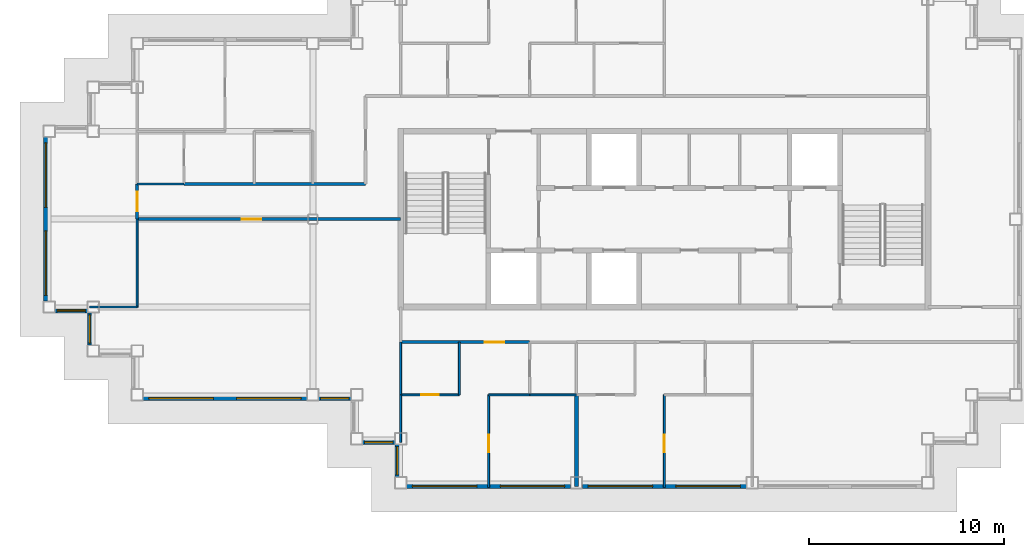
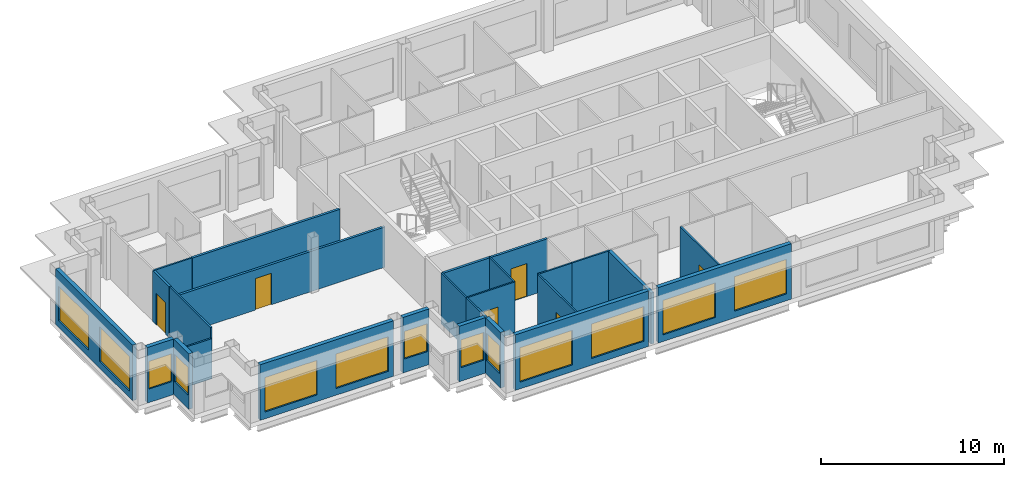
# One storey, part 2 of 11: 25 walls, 13 windows, 6 doors, 19 openings.
"""IFC4 building model written with IfcOpenShell, lengths in metres."""

from ifc_helpers import new_model, si_unit, direction, frame, frame_2d, origin, place, context, subcontext, project, spatial, rectangle, extrude, material, layer, layer_set, type_object, element, fill, save


model = new_model("IFC4")

# Units and contexts
model_context = context("Model", 3, precision=1e-05, world=origin(), true_north=direction((0.0, 1.0)))
body_context = subcontext(model_context, "Body", "Model", "MODEL_VIEW")
ifc_project = project(units=[si_unit("LENGTHUNIT", "METRE"), si_unit("AREAUNIT", "SQUARE_METRE"), si_unit("VOLUMEUNIT", "CUBIC_METRE"), si_unit("PLANEANGLEUNIT", "RADIAN"), si_unit("MASSUNIT", "GRAM", prefix="KILO")], contexts=[model_context])

# Site, building, storey
site_placement = place(None, origin())
site = spatial("IfcSite", under=ifc_project, at=site_placement, CompositionType="ELEMENT")
building_placement = place(site_placement, origin())
building = spatial("IfcBuilding", under=site, at=building_placement, Name="Caravel Reach Hotel and Residences", CompositionType="ELEMENT")
storey_placement = place(building_placement, frame((0.0, 0.0, 256.39990234375)))
storey = spatial("IfcBuildingStorey", under=building, at=storey_placement, Name="L65", CompositionType="ELEMENT", Elevation=256.39990234375)

# Walls
ifc_material_1 = material(Name="Gypsum board on steel stud", Category="steel")
ifc_layer_1 = layer(ifc_material_1, 0.10009765625)
ifc_layer_set_1 = layer_set([ifc_layer_1], Name="Bathroom pod wall 100 mm")
wall_type_1 = type_object("IfcWallType", Name="Bathroom pod wall 100 mm", PredefinedType="PARTITIONING", material=ifc_layer_set_1)
for number, where, z_axis, x_axis, name in (
    (1, (24.60009765625, 18.0, 0.0), (0.0, 0.0, 1.0), (1.0, 0.0, 0.0), "L65 wall w053"),
    (2, (4.5, 28.800048828125, 0.0), (0.0, 0.0, 1.0), (1.0, 0.0, 0.0), "L65 wall w057"),
):
    element("IfcWall", number, at=place(storey_placement, frame(where, z_axis=z_axis, x_axis=x_axis)), inside=storey, type_object=wall_type_1, Name=name, PredefinedType="PARTITIONING", context=body_context, shape_type="SweptSolid", body=[
        extrude(rectangle(XDim=2.39990234375, YDim=0.10009765625, at=frame_2d((1.199951171875, 0.0))), origin(), (0.0, 0.0, 1.0), 3.400146484375),
    ])

# Wall, opening, door
ifc_material_2 = material(Name="Gypsum board on steel stud, fire-rated", Category="steel")
ifc_layer_2 = layer(ifc_material_2, 0.14990234375)
ifc_layer_set_2 = layer_set([ifc_layer_2], Name="Corridor wall 150 mm EI 60")
wall_type_2 = type_object("IfcWallType", Name="Corridor wall 150 mm EI 60", PredefinedType="PARTITIONING", material=ifc_layer_set_2)
wall_1_placement = place(storey_placement, frame((18.0, 20.699951171875, 0.0), z_axis=(0.0, 0.0, 1.0), x_axis=(1.0, 0.0, 0.0)))
wall_1 = element("IfcWall", 3, at=wall_1_placement, inside=storey, type_object=wall_type_2, Name="L65 wall w002", PredefinedType="PARTITIONING", context=body_context, shape_type="SweptSolid", body=[
    extrude(rectangle(XDim=6.60009765625, YDim=0.14990234375, at=frame_2d((3.300048828125, 0.0))), origin(), (0.0, 0.0, 1.0), 3.400146484375),
])
opening_1_placement = place(wall_1_placement, frame((4.300048828125, 0.0, 0.0)))
opening_1 = element("IfcOpeningElement", 4, at=opening_1_placement, cuts=wall_1, Name="Opening D65-030", PredefinedType="OPENING", context=body_context, shape_type="SweptSolid", body=[
    extrude(rectangle(XDim=1.0, YDim=2.199951171875, at=frame_2d((0.5, 1.10009765625))), frame((0.0, 0.0849609375, 0.0), z_axis=(0.0, -1.0, 0.0), x_axis=(1.0, 0.0, 0.0)), (0.0, 0.0, 1.0), 0.169921875),
])
ifc_material_3 = material(Name="Steel fire door leaf", Category="steel")
door_type_1 = type_object("IfcDoorType", Name="Flat entrance door 1000 x 2200 EI 60", OperationType="SINGLE_SWING_LEFT", PredefinedType="DOOR", material=ifc_material_3)
door_1_placement = place(opening_1_placement, origin())
door_1 = element("IfcDoor", 5, at=door_1_placement, inside=storey, type_object=door_type_1, Name="door D65-030", OperationType="SINGLE_SWING_LEFT", OverallHeight=2.199951171875, OverallWidth=1.0, PredefinedType="DOOR", context=body_context, shape_type="SweptSolid", body=[
    extrude(rectangle(XDim=1.0, YDim=2.199951171875, at=frame_2d((0.5, 1.10009765625))), frame((0.0, 0.02490234375, 0.0), z_axis=(0.0, -1.0, 0.0), x_axis=(1.0, 0.0, 0.0)), (0.0, 0.0, 1.0), 0.050048828125),
])
fill(opening_1, door_1)

wall_2_placement = place(storey_placement, frame((4.5, 27.0, 0.0), z_axis=(0.0, 0.0, 1.0), x_axis=(1.0, 0.0, 0.0)))
wall_2 = element("IfcWall", 6, at=wall_2_placement, inside=storey, type_object=wall_type_2, Name="L65 wall w008", PredefinedType="PARTITIONING", context=body_context, shape_type="SweptSolid", body=[
    extrude(rectangle(XDim=13.5, YDim=0.14990234375, at=frame_2d((6.75, 0.0))), origin(), (0.0, 0.0, 1.0), 2.68017578125),
])
opening_2_placement = place(wall_2_placement, frame((5.35009765625, 0.0, 0.0)))
opening_2 = element("IfcOpeningElement", 7, at=opening_2_placement, cuts=wall_2, Name="Opening D65-029", PredefinedType="OPENING", context=body_context, shape_type="SweptSolid", body=[
    extrude(rectangle(XDim=1.0, YDim=2.10009765625, at=frame_2d((0.5, 1.050048828125))), frame((0.0, 0.0849609375, 0.0), z_axis=(0.0, -1.0, 0.0), x_axis=(1.0, 0.0, 0.0)), (0.0, 0.0, 1.0), 0.169921875),
])
ifc_material_4 = material(Name="Steel fire door leaf", Category="steel")
door_type_2 = type_object("IfcDoorType", Name="Fire door 1000 x 2100 EI 60", OperationType="SINGLE_SWING_LEFT", PredefinedType="DOOR", material=ifc_material_4)
door_2_placement = place(opening_2_placement, origin())
door_2 = element("IfcDoor", 8, at=door_2_placement, inside=storey, type_object=door_type_2, Name="door D65-029", OperationType="SINGLE_SWING_LEFT", OverallHeight=2.10009765625, OverallWidth=1.0, PredefinedType="DOOR", context=body_context, shape_type="SweptSolid", body=[
    extrude(rectangle(XDim=1.0, YDim=2.10009765625, at=frame_2d((0.5, 1.050048828125))), frame((0.0, 0.02490234375, 0.0), z_axis=(0.0, -1.0, 0.0), x_axis=(1.0, 0.0, 0.0)), (0.0, 0.0, 1.0), 0.050048828125),
])
fill(opening_2, door_2)

# Wall
wall_3_placement = place(storey_placement, frame((6.89990234375, 28.800048828125, 0.0), z_axis=(0.0, 0.0, 1.0), x_axis=(1.0, 0.0, 0.0)))
element("IfcWall", 9, at=wall_3_placement, inside=storey, type_object=wall_type_2, Name="L65 wall w009", PredefinedType="PARTITIONING", context=body_context, shape_type="SweptSolid", body=[
    extrude(rectangle(XDim=9.299072265625, YDim=0.14990234375, at=frame_2d((4.6494140625, 0.0))), origin(), (0.0, 0.0, 1.0), 3.400146484375),
])

# Wall, opening, door
wall_4_placement = place(storey_placement, frame((4.5, 27.0, 0.0), z_axis=(0.0, 0.0, 1.0), x_axis=(0.0, 1.0, 0.0)))
wall_4 = element("IfcWall", 10, at=wall_4_placement, inside=storey, type_object=wall_type_2, Name="L65 wall w019", PredefinedType="PARTITIONING", context=body_context, shape_type="SweptSolid", body=[
    extrude(rectangle(XDim=1.800048828125, YDim=0.14990234375, at=frame_2d((0.89990234375, 0.0))), origin(), (0.0, 0.0, 1.0), 3.400146484375),
])
opening_3_placement = place(wall_4_placement, frame((0.39990234375, 0.0, 0.0)))
opening_3 = element("IfcOpeningElement", 11, at=opening_3_placement, cuts=wall_4, Name="Opening D65-039", PredefinedType="OPENING", context=body_context, shape_type="SweptSolid", body=[
    extrude(rectangle(XDim=1.0, YDim=2.10009765625, at=frame_2d((0.5, 1.050048828125))), frame((0.0, 0.0849609375, 0.0), z_axis=(0.0, -1.0, 0.0), x_axis=(1.0, 0.0, 0.0)), (0.0, 0.0, 1.0), 0.169921875),
])
door_3_placement = place(opening_3_placement, origin())
door_3 = element("IfcDoor", 12, at=door_3_placement, inside=storey, type_object=door_type_2, Name="door D65-039", OperationType="SINGLE_SWING_LEFT", OverallHeight=2.10009765625, OverallWidth=1.0, PredefinedType="DOOR", context=body_context, shape_type="SweptSolid", body=[
    extrude(rectangle(XDim=1.0, YDim=2.10009765625, at=frame_2d((0.5, 1.050048828125))), frame((0.0, 0.02490234375, 0.0), z_axis=(0.0, -1.0, 0.0), x_axis=(1.0, 0.0, 0.0)), (0.0, 0.0, 1.0), 0.050048828125),
])
fill(opening_3, door_3)

# Wall, opening, window
ifc_material_5 = material(Name="Insulated rainscreen wall, aluminium cladding", Category="aluminium")
ifc_layer_3 = layer(ifc_material_5, 0.25)
ifc_layer_set_3 = layer_set([ifc_layer_3], Name="EW1 Tower rainscreen wall")
wall_type_3 = type_object("IfcWallType", Name="EW1 Tower rainscreen wall", PredefinedType="SOLIDWALL", material=ifc_layer_set_3)
wall_5_placement = place(storey_placement, frame((16.050048828125, 15.574951171875, 0.0), z_axis=(0.0, 0.0, 1.0), x_axis=(1.0, 0.0, 0.0)))
wall_5 = element("IfcWall", 13, at=wall_5_placement, inside=storey, type_object=wall_type_3, Name="External wall L65 S2.1", PredefinedType="SOLIDWALL", context=body_context, shape_type="SweptSolid", body=[
    extrude(rectangle(XDim=1.64990234375, YDim=0.25, at=frame_2d((0.824951171875, 0.0))), origin(), (0.0, 0.0, 1.0), 3.7001953125),
])
opening_4_placement = place(wall_5_placement, frame((0.10009765625, 0.0, 0.89990234375)))
opening_4 = element("IfcOpeningElement", 14, at=opening_4_placement, cuts=wall_5, Name="Opening WN25", PredefinedType="OPENING", context=body_context, shape_type="SweptSolid", body=[
    extrude(rectangle(XDim=1.449951171875, YDim=1.85009765625, at=frame_2d((0.72509765625, 0.925048828125))), frame((0.0, 0.135009765625, 0.0), z_axis=(0.0, -1.0, 0.0), x_axis=(1.0, 0.0, 0.0)), (0.0, 0.0, 1.0), 0.27001953125),
])
ifc_material_6 = material(Name="Dark low-e glazing in black aluminium frame", Category="aluminium")
window_type_1 = type_object("IfcWindowType", Name="Residence bedroom window 1450 x 1850", PartitioningType="SINGLE_PANEL", PredefinedType="WINDOW", material=ifc_material_6)
window_1_placement = place(opening_4_placement, origin())
window_1 = element("IfcWindow", 15, at=window_1_placement, inside=storey, type_object=window_type_1, Name="Window L65 S2.1.1", OverallHeight=1.85009765625, OverallWidth=1.449951171875, PartitioningType="SINGLE_PANEL", PredefinedType="WINDOW", context=body_context, shape_type="SweptSolid", body=[
    extrude(rectangle(XDim=1.449951171875, YDim=1.85009765625, at=frame_2d((0.72509765625, 0.925048828125))), frame((0.0, 0.030029296875, 0.0), z_axis=(0.0, -1.0, 0.0), x_axis=(1.0, 0.0, 0.0)), (0.0, 0.0, 1.0), 0.06005859375),
])
fill(opening_4, window_1)

wall_6_placement = place(storey_placement, frame((17.824951171875, 15.449951171875, 0.0), z_axis=(0.0, 0.0, 1.0), x_axis=(0.0, -1.0, 0.0)))
wall_6 = element("IfcWall", 16, at=wall_6_placement, inside=storey, type_object=wall_type_3, Name="External wall L65 W3.1", PredefinedType="SOLIDWALL", context=body_context, shape_type="SweptSolid", body=[
    extrude(rectangle(XDim=1.64990234375, YDim=0.25, at=frame_2d((0.824951171875, 0.0))), origin(), (0.0, 0.0, 1.0), 3.7001953125),
])
opening_5_placement = place(wall_6_placement, frame((0.10009765625, 0.0, 0.89990234375)))
opening_5 = element("IfcOpeningElement", 17, at=opening_5_placement, cuts=wall_6, Name="Opening WN25", PredefinedType="OPENING", context=body_context, shape_type="SweptSolid", body=[
    extrude(rectangle(XDim=1.449951171875, YDim=1.85009765625, at=frame_2d((0.72509765625, 0.925048828125))), frame((0.0, 0.135009765625, 0.0), z_axis=(0.0, -1.0, 0.0), x_axis=(1.0, 0.0, 0.0)), (0.0, 0.0, 1.0), 0.27001953125),
])
window_2_placement = place(opening_5_placement, origin())
window_2 = element("IfcWindow", 18, at=window_2_placement, inside=storey, type_object=window_type_1, Name="Window L65 W3.1.1", OverallHeight=1.85009765625, OverallWidth=1.449951171875, PartitioningType="SINGLE_PANEL", PredefinedType="WINDOW", context=body_context, shape_type="SweptSolid", body=[
    extrude(rectangle(XDim=1.449951171875, YDim=1.85009765625, at=frame_2d((0.72509765625, 0.925048828125))), frame((0.0, 0.030029296875, 0.0), z_axis=(0.0, -1.0, 0.0), x_axis=(1.0, 0.0, 0.0)), (0.0, 0.0, 1.0), 0.06005859375),
])
fill(opening_5, window_2)

# Wall, openings, windows
wall_7_placement = place(storey_placement, frame((18.300048828125, 13.324951171875, 0.0), z_axis=(0.0, 0.0, 1.0), x_axis=(1.0, 0.0, 0.0)))
wall_7 = element("IfcWall", 19, at=wall_7_placement, inside=storey, type_object=wall_type_3, Name="External wall L65 S4.1", PredefinedType="SOLIDWALL", context=body_context, shape_type="SweptSolid", body=[
    extrude(rectangle(XDim=8.39990234375, YDim=0.25, at=frame_2d((4.199951171875, 0.0))), origin(), (0.0, 0.0, 1.0), 3.7001953125),
])
opening_6_placement = place(wall_7_placement, frame((0.300048828125, 0.0, 0.449951171875)))
opening_6 = element("IfcOpeningElement", 20, at=opening_6_placement, cuts=wall_7, Name="Opening WN15", PredefinedType="OPENING", context=body_context, shape_type="SweptSolid", body=[
    extrude(rectangle(XDim=3.300048828125, YDim=2.300048828125, at=frame_2d((1.64990234375, 1.14990234375))), frame((0.0, 0.135009765625, 0.0), z_axis=(0.0, -1.0, 0.0), x_axis=(1.0, 0.0, 0.0)), (0.0, 0.0, 1.0), 0.27001953125),
])
opening_7_placement = place(wall_7_placement, frame((4.800048828125, 0.0, 0.449951171875)))
opening_7 = element("IfcOpeningElement", 21, at=opening_7_placement, cuts=wall_7, Name="Opening WN15", PredefinedType="OPENING", context=body_context, shape_type="SweptSolid", body=[
    extrude(rectangle(XDim=3.300048828125, YDim=2.300048828125, at=frame_2d((1.64990234375, 1.14990234375))), frame((0.0, 0.135009765625, 0.0), z_axis=(0.0, -1.0, 0.0), x_axis=(1.0, 0.0, 0.0)), (0.0, 0.0, 1.0), 0.27001953125),
])
ifc_material_7 = material(Name="Dark low-e glazing in black aluminium frame", Category="aluminium")
window_type_2 = type_object("IfcWindowType", Name="Residence living window 3300 x 2300", PartitioningType="SINGLE_PANEL", PredefinedType="WINDOW", material=ifc_material_7)
window_3_placement = place(opening_6_placement, origin())
window_3 = element("IfcWindow", 22, at=window_3_placement, inside=storey, type_object=window_type_2, Name="Window L65 S4.1.1", OverallHeight=2.300048828125, OverallWidth=3.300048828125, PartitioningType="SINGLE_PANEL", PredefinedType="WINDOW", context=body_context, shape_type="SweptSolid", body=[
    extrude(rectangle(XDim=3.300048828125, YDim=2.300048828125, at=frame_2d((1.64990234375, 1.14990234375))), frame((0.0, 0.030029296875, 0.0), z_axis=(0.0, -1.0, 0.0), x_axis=(1.0, 0.0, 0.0)), (0.0, 0.0, 1.0), 0.06005859375),
])
fill(opening_6, window_3)
window_4_placement = place(opening_7_placement, origin())
window_4 = element("IfcWindow", 23, at=window_4_placement, inside=storey, type_object=window_type_2, Name="Window L65 S4.1.2", OverallHeight=2.300048828125, OverallWidth=3.300048828125, PartitioningType="SINGLE_PANEL", PredefinedType="WINDOW", context=body_context, shape_type="SweptSolid", body=[
    extrude(rectangle(XDim=3.300048828125, YDim=2.300048828125, at=frame_2d((1.64990234375, 1.14990234375))), frame((0.0, 0.030029296875, 0.0), z_axis=(0.0, -1.0, 0.0), x_axis=(1.0, 0.0, 0.0)), (0.0, 0.0, 1.0), 0.06005859375),
])
fill(opening_7, window_4)

wall_8_placement = place(storey_placement, frame((27.300048828125, 13.324951171875, 0.0), z_axis=(0.0, 0.0, 1.0), x_axis=(1.0, 0.0, 0.0)))
wall_8 = element("IfcWall", 24, at=wall_8_placement, inside=storey, type_object=wall_type_3, Name="External wall L65 S4.2", PredefinedType="SOLIDWALL", context=body_context, shape_type="SweptSolid", body=[
    extrude(rectangle(XDim=8.39990234375, YDim=0.25, at=frame_2d((4.199951171875, 0.0))), origin(), (0.0, 0.0, 1.0), 3.7001953125),
])
opening_8_placement = place(wall_8_placement, frame((0.300048828125, 0.0, 0.449951171875)))
opening_8 = element("IfcOpeningElement", 25, at=opening_8_placement, cuts=wall_8, Name="Opening WN15", PredefinedType="OPENING", context=body_context, shape_type="SweptSolid", body=[
    extrude(rectangle(XDim=3.300048828125, YDim=2.300048828125, at=frame_2d((1.64990234375, 1.14990234375))), frame((0.0, 0.135009765625, 0.0), z_axis=(0.0, -1.0, 0.0), x_axis=(1.0, 0.0, 0.0)), (0.0, 0.0, 1.0), 0.27001953125),
])
opening_9_placement = place(wall_8_placement, frame((4.800048828125, 0.0, 0.449951171875)))
opening_9 = element("IfcOpeningElement", 26, at=opening_9_placement, cuts=wall_8, Name="Opening WN15", PredefinedType="OPENING", context=body_context, shape_type="SweptSolid", body=[
    extrude(rectangle(XDim=3.300048828125, YDim=2.300048828125, at=frame_2d((1.64990234375, 1.14990234375))), frame((0.0, 0.135009765625, 0.0), z_axis=(0.0, -1.0, 0.0), x_axis=(1.0, 0.0, 0.0)), (0.0, 0.0, 1.0), 0.27001953125),
])
window_5_placement = place(opening_8_placement, origin())
window_5 = element("IfcWindow", 27, at=window_5_placement, inside=storey, type_object=window_type_2, Name="Window L65 S4.2.1", OverallHeight=2.300048828125, OverallWidth=3.300048828125, PartitioningType="SINGLE_PANEL", PredefinedType="WINDOW", context=body_context, shape_type="SweptSolid", body=[
    extrude(rectangle(XDim=3.300048828125, YDim=2.300048828125, at=frame_2d((1.64990234375, 1.14990234375))), frame((0.0, 0.030029296875, 0.0), z_axis=(0.0, -1.0, 0.0), x_axis=(1.0, 0.0, 0.0)), (0.0, 0.0, 1.0), 0.06005859375),
])
fill(opening_8, window_5)
window_6_placement = place(opening_9_placement, origin())
window_6 = element("IfcWindow", 28, at=window_6_placement, inside=storey, type_object=window_type_2, Name="Window L65 S4.2.2", OverallHeight=2.300048828125, OverallWidth=3.300048828125, PartitioningType="SINGLE_PANEL", PredefinedType="WINDOW", context=body_context, shape_type="SweptSolid", body=[
    extrude(rectangle(XDim=3.300048828125, YDim=2.300048828125, at=frame_2d((1.64990234375, 1.14990234375))), frame((0.0, 0.030029296875, 0.0), z_axis=(0.0, -1.0, 0.0), x_axis=(1.0, 0.0, 0.0)), (0.0, 0.0, 1.0), 0.06005859375),
])
fill(opening_9, window_6)

wall_9_placement = place(storey_placement, frame((-0.175048828125, 31.199951171875, 0.0), z_axis=(0.0, 0.0, 1.0), x_axis=(0.0, -1.0, 0.0)))
wall_9 = element("IfcWall", 29, at=wall_9_placement, inside=storey, type_object=wall_type_3, Name="External wall L65 W23.1", PredefinedType="SOLIDWALL", context=body_context, shape_type="SweptSolid", body=[
    extrude(rectangle(XDim=8.39990234375, YDim=0.25, at=frame_2d((4.199951171875, 0.0))), origin(), (0.0, 0.0, 1.0), 3.7001953125),
])
opening_10_placement = place(wall_9_placement, frame((0.300048828125, 0.0, 0.449951171875)))
opening_10 = element("IfcOpeningElement", 30, at=opening_10_placement, cuts=wall_9, Name="Opening WN15", PredefinedType="OPENING", context=body_context, shape_type="SweptSolid", body=[
    extrude(rectangle(XDim=3.300048828125, YDim=2.300048828125, at=frame_2d((1.64990234375, 1.14990234375))), frame((0.0, 0.135009765625, 0.0), z_axis=(0.0, -1.0, 0.0), x_axis=(1.0, 0.0, 0.0)), (0.0, 0.0, 1.0), 0.27001953125),
])
opening_11_placement = place(wall_9_placement, frame((4.800048828125, 0.0, 0.449951171875)))
opening_11 = element("IfcOpeningElement", 31, at=opening_11_placement, cuts=wall_9, Name="Opening WN15", PredefinedType="OPENING", context=body_context, shape_type="SweptSolid", body=[
    extrude(rectangle(XDim=3.300048828125, YDim=2.300048828125, at=frame_2d((1.64990234375, 1.14990234375))), frame((0.0, 0.135009765625, 0.0), z_axis=(0.0, -1.0, 0.0), x_axis=(1.0, 0.0, 0.0)), (0.0, 0.0, 1.0), 0.27001953125),
])
window_7_placement = place(opening_10_placement, origin())
window_7 = element("IfcWindow", 32, at=window_7_placement, inside=storey, type_object=window_type_2, Name="Window L65 W23.1.1", OverallHeight=2.300048828125, OverallWidth=3.300048828125, PartitioningType="SINGLE_PANEL", PredefinedType="WINDOW", context=body_context, shape_type="SweptSolid", body=[
    extrude(rectangle(XDim=3.300048828125, YDim=2.300048828125, at=frame_2d((1.64990234375, 1.14990234375))), frame((0.0, 0.030029296875, 0.0), z_axis=(0.0, -1.0, 0.0), x_axis=(1.0, 0.0, 0.0)), (0.0, 0.0, 1.0), 0.06005859375),
])
fill(opening_10, window_7)
window_8_placement = place(opening_11_placement, origin())
window_8 = element("IfcWindow", 33, at=window_8_placement, inside=storey, type_object=window_type_2, Name="Window L65 W23.1.2", OverallHeight=2.300048828125, OverallWidth=3.300048828125, PartitioningType="SINGLE_PANEL", PredefinedType="WINDOW", context=body_context, shape_type="SweptSolid", body=[
    extrude(rectangle(XDim=3.300048828125, YDim=2.300048828125, at=frame_2d((1.64990234375, 1.14990234375))), frame((0.0, 0.030029296875, 0.0), z_axis=(0.0, -1.0, 0.0), x_axis=(1.0, 0.0, 0.0)), (0.0, 0.0, 1.0), 0.06005859375),
])
fill(opening_11, window_8)

# Wall, opening, window
wall_10_placement = place(storey_placement, frame((0.300048828125, 22.324951171875, 0.0), z_axis=(0.0, 0.0, 1.0), x_axis=(1.0, 0.0, 0.0)))
wall_10 = element("IfcWall", 34, at=wall_10_placement, inside=storey, type_object=wall_type_3, Name="External wall L65 S24.1", PredefinedType="SOLIDWALL", context=body_context, shape_type="SweptSolid", body=[
    extrude(rectangle(XDim=1.64990234375, YDim=0.25, at=frame_2d((0.824951171875, 0.0))), origin(), (0.0, 0.0, 1.0), 3.7001953125),
])
opening_12_placement = place(wall_10_placement, frame((0.10009765625, 0.0, 0.89990234375)))
opening_12 = element("IfcOpeningElement", 35, at=opening_12_placement, cuts=wall_10, Name="Opening WN25", PredefinedType="OPENING", context=body_context, shape_type="SweptSolid", body=[
    extrude(rectangle(XDim=1.449951171875, YDim=1.85009765625, at=frame_2d((0.72509765625, 0.925048828125))), frame((0.0, 0.135009765625, 0.0), z_axis=(0.0, -1.0, 0.0), x_axis=(1.0, 0.0, 0.0)), (0.0, 0.0, 1.0), 0.27001953125),
])
window_9_placement = place(opening_12_placement, origin())
window_9 = element("IfcWindow", 36, at=window_9_placement, inside=storey, type_object=window_type_1, Name="Window L65 S24.1.1", OverallHeight=1.85009765625, OverallWidth=1.449951171875, PartitioningType="SINGLE_PANEL", PredefinedType="WINDOW", context=body_context, shape_type="SweptSolid", body=[
    extrude(rectangle(XDim=1.449951171875, YDim=1.85009765625, at=frame_2d((0.72509765625, 0.925048828125))), frame((0.0, 0.030029296875, 0.0), z_axis=(0.0, -1.0, 0.0), x_axis=(1.0, 0.0, 0.0)), (0.0, 0.0, 1.0), 0.06005859375),
])
fill(opening_12, window_9)

wall_11_placement = place(storey_placement, frame((2.074951171875, 22.199951171875, 0.0), z_axis=(0.0, 0.0, 1.0), x_axis=(0.0, -1.0, 0.0)))
wall_11 = element("IfcWall", 37, at=wall_11_placement, inside=storey, type_object=wall_type_3, Name="External wall L65 W25.1", PredefinedType="SOLIDWALL", context=body_context, shape_type="SweptSolid", body=[
    extrude(rectangle(XDim=1.64990234375, YDim=0.25, at=frame_2d((0.824951171875, 0.0))), origin(), (0.0, 0.0, 1.0), 3.7001953125),
])
opening_13_placement = place(wall_11_placement, frame((0.10009765625, 0.0, 0.89990234375)))
opening_13 = element("IfcOpeningElement", 38, at=opening_13_placement, cuts=wall_11, Name="Opening WN25", PredefinedType="OPENING", context=body_context, shape_type="SweptSolid", body=[
    extrude(rectangle(XDim=1.449951171875, YDim=1.85009765625, at=frame_2d((0.72509765625, 0.925048828125))), frame((0.0, 0.135009765625, 0.0), z_axis=(0.0, -1.0, 0.0), x_axis=(1.0, 0.0, 0.0)), (0.0, 0.0, 1.0), 0.27001953125),
])
window_10_placement = place(opening_13_placement, origin())
window_10 = element("IfcWindow", 39, at=window_10_placement, inside=storey, type_object=window_type_1, Name="Window L65 W25.1.1", OverallHeight=1.85009765625, OverallWidth=1.449951171875, PartitioningType="SINGLE_PANEL", PredefinedType="WINDOW", context=body_context, shape_type="SweptSolid", body=[
    extrude(rectangle(XDim=1.449951171875, YDim=1.85009765625, at=frame_2d((0.72509765625, 0.925048828125))), frame((0.0, 0.030029296875, 0.0), z_axis=(0.0, -1.0, 0.0), x_axis=(1.0, 0.0, 0.0)), (0.0, 0.0, 1.0), 0.06005859375),
])
fill(opening_13, window_10)

# Wall, openings, windows
wall_12_placement = place(storey_placement, frame((4.800048828125, 17.824951171875, 0.0), z_axis=(0.0, 0.0, 1.0), x_axis=(1.0, 0.0, 0.0)))
wall_12 = element("IfcWall", 40, at=wall_12_placement, inside=storey, type_object=wall_type_3, Name="External wall L65 S28.1", PredefinedType="SOLIDWALL", context=body_context, shape_type="SweptSolid", body=[
    extrude(rectangle(XDim=8.39990234375, YDim=0.25, at=frame_2d((4.199951171875, 0.0))), origin(), (0.0, 0.0, 1.0), 3.7001953125),
])
opening_14_placement = place(wall_12_placement, frame((0.300048828125, 0.0, 0.449951171875)))
opening_14 = element("IfcOpeningElement", 41, at=opening_14_placement, cuts=wall_12, Name="Opening WN15", PredefinedType="OPENING", context=body_context, shape_type="SweptSolid", body=[
    extrude(rectangle(XDim=3.300048828125, YDim=2.300048828125, at=frame_2d((1.64990234375, 1.14990234375))), frame((0.0, 0.135009765625, 0.0), z_axis=(0.0, -1.0, 0.0), x_axis=(1.0, 0.0, 0.0)), (0.0, 0.0, 1.0), 0.27001953125),
])
opening_15_placement = place(wall_12_placement, frame((4.800048828125, 0.0, 0.449951171875)))
opening_15 = element("IfcOpeningElement", 42, at=opening_15_placement, cuts=wall_12, Name="Opening WN15", PredefinedType="OPENING", context=body_context, shape_type="SweptSolid", body=[
    extrude(rectangle(XDim=3.300048828125, YDim=2.300048828125, at=frame_2d((1.64990234375, 1.14990234375))), frame((0.0, 0.135009765625, 0.0), z_axis=(0.0, -1.0, 0.0), x_axis=(1.0, 0.0, 0.0)), (0.0, 0.0, 1.0), 0.27001953125),
])
window_11_placement = place(opening_14_placement, origin())
window_11 = element("IfcWindow", 43, at=window_11_placement, inside=storey, type_object=window_type_2, Name="Window L65 S28.1.1", OverallHeight=2.300048828125, OverallWidth=3.300048828125, PartitioningType="SINGLE_PANEL", PredefinedType="WINDOW", context=body_context, shape_type="SweptSolid", body=[
    extrude(rectangle(XDim=3.300048828125, YDim=2.300048828125, at=frame_2d((1.64990234375, 1.14990234375))), frame((0.0, 0.030029296875, 0.0), z_axis=(0.0, -1.0, 0.0), x_axis=(1.0, 0.0, 0.0)), (0.0, 0.0, 1.0), 0.06005859375),
])
fill(opening_14, window_11)
window_12_placement = place(opening_15_placement, origin())
window_12 = element("IfcWindow", 44, at=window_12_placement, inside=storey, type_object=window_type_2, Name="Window L65 S28.1.2", OverallHeight=2.300048828125, OverallWidth=3.300048828125, PartitioningType="SINGLE_PANEL", PredefinedType="WINDOW", context=body_context, shape_type="SweptSolid", body=[
    extrude(rectangle(XDim=3.300048828125, YDim=2.300048828125, at=frame_2d((1.64990234375, 1.14990234375))), frame((0.0, 0.030029296875, 0.0), z_axis=(0.0, -1.0, 0.0), x_axis=(1.0, 0.0, 0.0)), (0.0, 0.0, 1.0), 0.06005859375),
])
fill(opening_15, window_12)

# Wall, opening, window
wall_13_placement = place(storey_placement, frame((13.800048828125, 17.824951171875, 0.0), z_axis=(0.0, 0.0, 1.0), x_axis=(1.0, 0.0, 0.0)))
wall_13 = element("IfcWall", 45, at=wall_13_placement, inside=storey, type_object=wall_type_3, Name="External wall L65 S28.2", PredefinedType="SOLIDWALL", context=body_context, shape_type="SweptSolid", body=[
    extrude(rectangle(XDim=1.64990234375, YDim=0.25, at=frame_2d((0.824951171875, 0.0))), origin(), (0.0, 0.0, 1.0), 3.7001953125),
])
opening_16_placement = place(wall_13_placement, frame((0.10009765625, 0.0, 0.89990234375)))
opening_16 = element("IfcOpeningElement", 46, at=opening_16_placement, cuts=wall_13, Name="Opening WN25", PredefinedType="OPENING", context=body_context, shape_type="SweptSolid", body=[
    extrude(rectangle(XDim=1.449951171875, YDim=1.85009765625, at=frame_2d((0.72509765625, 0.925048828125))), frame((0.0, 0.135009765625, 0.0), z_axis=(0.0, -1.0, 0.0), x_axis=(1.0, 0.0, 0.0)), (0.0, 0.0, 1.0), 0.27001953125),
])
window_13_placement = place(opening_16_placement, origin())
window_13 = element("IfcWindow", 47, at=window_13_placement, inside=storey, type_object=window_type_1, Name="Window L65 S28.2.1", OverallHeight=1.85009765625, OverallWidth=1.449951171875, PartitioningType="SINGLE_PANEL", PredefinedType="WINDOW", context=body_context, shape_type="SweptSolid", body=[
    extrude(rectangle(XDim=1.449951171875, YDim=1.85009765625, at=frame_2d((0.72509765625, 0.925048828125))), frame((0.0, 0.030029296875, 0.0), z_axis=(0.0, -1.0, 0.0), x_axis=(1.0, 0.0, 0.0)), (0.0, 0.0, 1.0), 0.06005859375),
])
fill(opening_16, window_13)

# Wall
ifc_material_8 = material(Name="Gypsum board on steel stud", Category="steel")
ifc_layer_4 = layer(ifc_material_8, 0.10009765625)
ifc_layer_set_4 = layer_set([ifc_layer_4], Name="Partition 100 mm")
wall_type_4 = type_object("IfcWallType", Name="Partition 100 mm", PredefinedType="PARTITIONING", material=ifc_layer_set_4)
wall_14_placement = place(storey_placement, frame((22.5, 18.0, 0.0), z_axis=(0.0, 0.0, 1.0), x_axis=(1.0, 0.0, 0.0)))
element("IfcWall", 48, at=wall_14_placement, inside=storey, type_object=wall_type_4, Name="L65 wall w021", PredefinedType="PARTITIONING", context=body_context, shape_type="SweptSolid", body=[
    extrude(rectangle(XDim=2.10009765625, YDim=0.10009765625, at=frame_2d((1.050048828125, 0.0))), origin(), (0.0, 0.0, 1.0), 3.400146484375),
])

# Wall, opening, door
wall_15_placement = place(storey_placement, frame((18.0, 18.0, 0.0), z_axis=(0.0, 0.0, 1.0), x_axis=(1.0, 0.0, 0.0)))
wall_15 = element("IfcWall", 49, at=wall_15_placement, inside=storey, type_object=wall_type_4, Name="L65 wall w022", PredefinedType="PARTITIONING", context=body_context, shape_type="SweptSolid", body=[
    extrude(rectangle(XDim=3.0, YDim=0.10009765625, at=frame_2d((1.5, 0.0))), origin(), (0.0, 0.0, 1.0), 3.400146484375),
])
opening_17_placement = place(wall_15_placement, frame((1.050048828125, 0.0, 0.0)))
opening_17 = element("IfcOpeningElement", 50, at=opening_17_placement, cuts=wall_15, Name="Opening D65-031", PredefinedType="OPENING", context=body_context, shape_type="SweptSolid", body=[
    extrude(rectangle(XDim=0.89990234375, YDim=2.10009765625, at=frame_2d((0.449951171875, 1.050048828125))), frame((0.0, 0.06005859375, 0.0), z_axis=(0.0, -1.0, 0.0), x_axis=(1.0, 0.0, 0.0)), (0.0, 0.0, 1.0), 0.1201171875),
])
ifc_material_9 = material(Name="Timber and steel door leaf", Category="steel")
door_type_3 = type_object("IfcDoorType", Name="Door 900 x 2100 timber", OperationType="SINGLE_SWING_LEFT", PredefinedType="DOOR", material=ifc_material_9)
door_4_placement = place(opening_17_placement, origin())
door_4 = element("IfcDoor", 51, at=door_4_placement, inside=storey, type_object=door_type_3, Name="door D65-031", OperationType="SINGLE_SWING_RIGHT", OverallHeight=2.10009765625, OverallWidth=0.89990234375, PredefinedType="DOOR", context=body_context, shape_type="SweptSolid", body=[
    extrude(rectangle(XDim=0.89990234375, YDim=2.10009765625, at=frame_2d((0.449951171875, 1.050048828125))), frame((0.0, 0.02490234375, 0.0), z_axis=(0.0, -1.0, 0.0), x_axis=(1.0, 0.0, 0.0)), (0.0, 0.0, 1.0), 0.050048828125),
])
fill(opening_17, door_4)

# Walls
wall_16_placement = place(storey_placement, frame((2.06005859375, 22.5, 0.0), z_axis=(0.0, 0.0, 1.0), x_axis=(1.0, 0.0, 0.0)))
element("IfcWall", 52, at=wall_16_placement, inside=storey, type_object=wall_type_4, Name="L65 wall w025", PredefinedType="PARTITIONING", context=body_context, shape_type="SweptSolid", body=[
    extrude(rectangle(XDim=2.43896484375, YDim=0.10009765625, at=frame_2d((1.219482421875, 0.0))), origin(), (0.0, 0.0, 1.0), 2.68017578125),
])
wall_17_placement = place(storey_placement, frame((18.0, 15.56005859375, 0.0), z_axis=(0.0, 0.0, 1.0), x_axis=(0.0, 1.0, 0.0)))
element("IfcWall", 53, at=wall_17_placement, inside=storey, type_object=wall_type_4, Name="L65 wall w034", PredefinedType="PARTITIONING", context=body_context, shape_type="SweptSolid", body=[
    extrude(rectangle(XDim=2.43896484375, YDim=0.10009765625, at=frame_2d((1.219482421875, 0.0))), origin(), (0.0, 0.0, 1.0), 3.400146484375),
])
for number, where, z_axis, x_axis, name in (
    (54, (18.0, 18.0, 0.0), (0.0, 0.0, 1.0), (0.0, 1.0, 0.0), "L65 wall w035"),
    (55, (21.0, 18.0, 0.0), (0.0, 0.0, 1.0), (0.0, 1.0, 0.0), "L65 wall w036"),
):
    element("IfcWall", number, at=place(storey_placement, frame(where, z_axis=z_axis, x_axis=x_axis)), inside=storey, type_object=wall_type_4, Name=name, PredefinedType="PARTITIONING", context=body_context, shape_type="SweptSolid", body=[
        extrude(rectangle(XDim=2.699951171875, YDim=0.10009765625, at=frame_2d((1.35009765625, 0.0))), origin(), (0.0, 0.0, 1.0), 3.400146484375),
    ])

# Wall, opening, door
wall_18_placement = place(storey_placement, frame((22.5, 13.260009765625, 0.0), z_axis=(0.0, 0.0, 1.0), x_axis=(0.0, 1.0, 0.0)))
wall_18 = element("IfcWall", 56, at=wall_18_placement, inside=storey, type_object=wall_type_4, Name="L65 wall w038", PredefinedType="PARTITIONING", context=body_context, shape_type="SweptSolid", body=[
    extrude(rectangle(XDim=4.739990234375, YDim=0.10009765625, at=frame_2d((2.3701171875, 0.0))), origin(), (0.0, 0.0, 1.0), 3.400146484375),
])
opening_18_placement = place(wall_18_placement, frame((1.800048828125, 0.0, 0.0)))
opening_18 = element("IfcOpeningElement", 57, at=opening_18_placement, cuts=wall_18, Name="Opening D65-033", PredefinedType="OPENING", context=body_context, shape_type="SweptSolid", body=[
    extrude(rectangle(XDim=0.89990234375, YDim=2.10009765625, at=frame_2d((0.449951171875, 1.050048828125))), frame((0.0, 0.06005859375, 0.0), z_axis=(0.0, -1.0, 0.0), x_axis=(1.0, 0.0, 0.0)), (0.0, 0.0, 1.0), 0.1201171875),
])
door_5_placement = place(opening_18_placement, origin())
door_5 = element("IfcDoor", 58, at=door_5_placement, inside=storey, type_object=door_type_3, Name="door D65-033", OperationType="SINGLE_SWING_RIGHT", OverallHeight=2.10009765625, OverallWidth=0.89990234375, PredefinedType="DOOR", context=body_context, shape_type="SweptSolid", body=[
    extrude(rectangle(XDim=0.89990234375, YDim=2.10009765625, at=frame_2d((0.449951171875, 1.050048828125))), frame((0.0, 0.02490234375, 0.0), z_axis=(0.0, -1.0, 0.0), x_axis=(1.0, 0.0, 0.0)), (0.0, 0.0, 1.0), 0.050048828125),
])
fill(opening_18, door_5)

wall_19_placement = place(storey_placement, frame((31.5, 13.260009765625, 0.0), z_axis=(0.0, 0.0, 1.0), x_axis=(0.0, 1.0, 0.0)))
wall_19 = element("IfcWall", 59, at=wall_19_placement, inside=storey, type_object=wall_type_4, Name="L65 wall w045", PredefinedType="PARTITIONING", context=body_context, shape_type="SweptSolid", body=[
    extrude(rectangle(XDim=4.739990234375, YDim=0.10009765625, at=frame_2d((2.3701171875, 0.0))), origin(), (0.0, 0.0, 1.0), 3.400146484375),
])
opening_19_placement = place(wall_19_placement, frame((1.800048828125, 0.0, 0.0)))
opening_19 = element("IfcOpeningElement", 60, at=opening_19_placement, cuts=wall_19, Name="Opening D65-037", PredefinedType="OPENING", context=body_context, shape_type="SweptSolid", body=[
    extrude(rectangle(XDim=0.89990234375, YDim=2.10009765625, at=frame_2d((0.449951171875, 1.050048828125))), frame((0.0, 0.06005859375, 0.0), z_axis=(0.0, -1.0, 0.0), x_axis=(1.0, 0.0, 0.0)), (0.0, 0.0, 1.0), 0.1201171875),
])
door_6_placement = place(opening_19_placement, origin())
door_6 = element("IfcDoor", 61, at=door_6_placement, inside=storey, type_object=door_type_3, Name="door D65-037", OperationType="SINGLE_SWING_LEFT", OverallHeight=2.10009765625, OverallWidth=0.89990234375, PredefinedType="DOOR", context=body_context, shape_type="SweptSolid", body=[
    extrude(rectangle(XDim=0.89990234375, YDim=2.10009765625, at=frame_2d((0.449951171875, 1.050048828125))), frame((0.0, 0.02490234375, 0.0), z_axis=(0.0, -1.0, 0.0), x_axis=(1.0, 0.0, 0.0)), (0.0, 0.0, 1.0), 0.050048828125),
])
fill(opening_19, door_6)

# Walls
wall_20_placement = place(storey_placement, frame((4.5, 22.5, 0.0), z_axis=(0.0, 0.0, 1.0), x_axis=(0.0, 1.0, 0.0)))
element("IfcWall", 62, at=wall_20_placement, inside=storey, type_object=wall_type_4, Name="L65 wall w048", PredefinedType="PARTITIONING", context=body_context, shape_type="SweptSolid", body=[
    extrude(rectangle(XDim=4.5, YDim=0.10009765625, at=frame_2d((2.25, 0.0))), origin(), (0.0, 0.0, 1.0), 3.400146484375),
])
ifc_material_10 = material(Name="Autoclaved aerated block wall")
ifc_layer_5 = layer(ifc_material_10, 0.199951171875)
ifc_layer_set_5 = layer_set([ifc_layer_5], Name="Party wall 200 mm EI 60")
wall_type_5 = type_object("IfcWallType", Name="Party wall 200 mm EI 60", PredefinedType="PARTITIONING", material=ifc_layer_set_5)
wall_21_placement = place(storey_placement, frame((27.0, 13.31005859375, 0.0), z_axis=(0.0, 0.0, 1.0), x_axis=(0.0, 1.0, 0.0)))
element("IfcWall", 63, at=wall_21_placement, inside=storey, type_object=wall_type_5, Name="L65 wall w052", PredefinedType="PARTITIONING", context=body_context, shape_type="SweptSolid", body=[
    extrude(rectangle(XDim=4.68994140625, YDim=0.199951171875, at=frame_2d((2.344970703125, 0.0))), origin(), (0.0, 0.0, 1.0), 3.400146484375),
])

save(model, "model.ifc")
